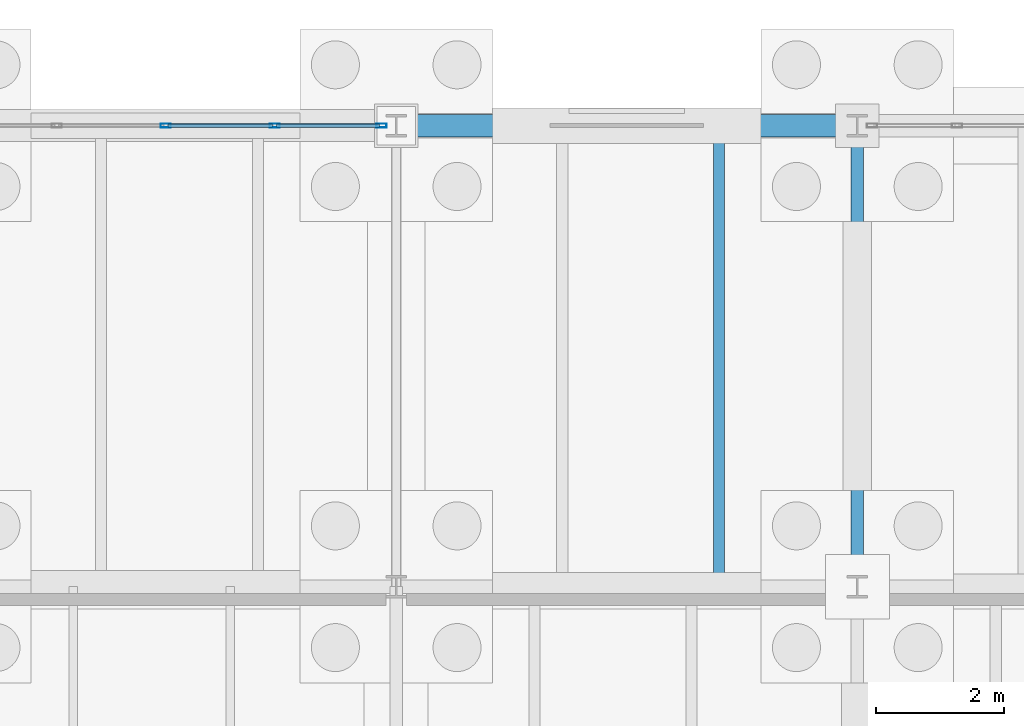
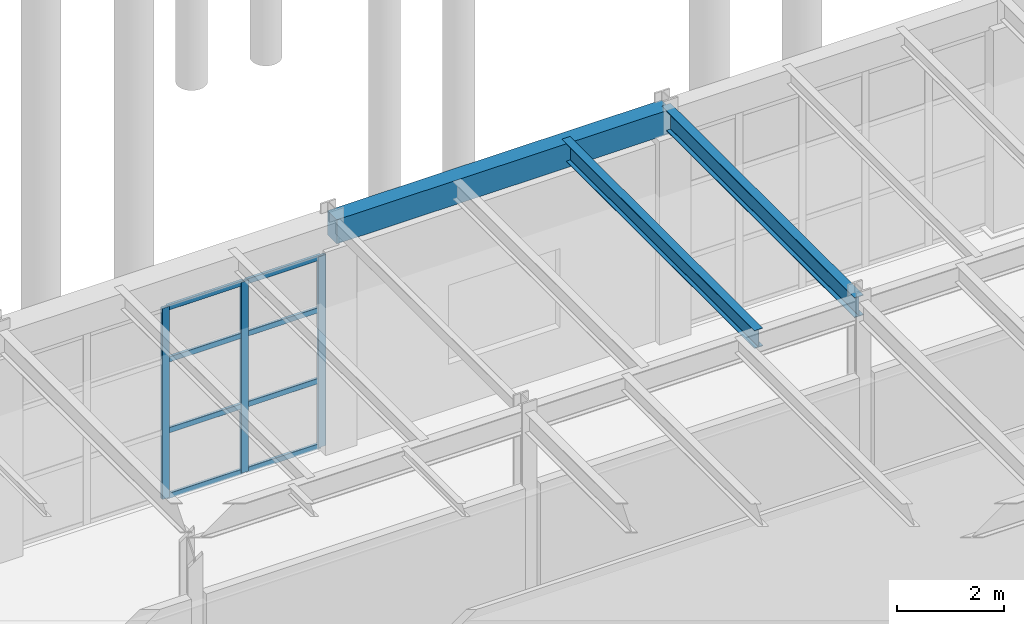
# One storey, part 91 of 293: 11 members, 3 beams, 1 element without a shape of its own.
"""IFC4 building model written with IfcOpenShell, lengths in metres."""

from ifc_helpers import new_model, si_unit, direction, frame, origin, origin_2d, place, context, subcontext, project, spatial, rectangle, hollow_rectangle, i_section, extrude, material, layer, layer_set, material_profile, profile_set, type_object, element, aggregate, save


model = new_model("IFC4")

# Units and contexts
model_context = context("Model", 3, precision=1e-05, world=origin(), true_north=direction((0.0, 1.0)))
body_context = subcontext(model_context, "Body", "Model", "MODEL_VIEW")
ifc_project = project(units=[si_unit("LENGTHUNIT", "METRE"), si_unit("AREAUNIT", "SQUARE_METRE"), si_unit("VOLUMEUNIT", "CUBIC_METRE"), si_unit("PLANEANGLEUNIT", "RADIAN"), si_unit("MASSUNIT", "GRAM", prefix="KILO")], contexts=[model_context])

# Site, building, storey
site_placement = place(None, origin())
site = spatial("IfcSite", under=ifc_project, at=site_placement, CompositionType="ELEMENT")
building_placement = place(site_placement, origin())
building = spatial("IfcBuilding", under=site, at=building_placement, Name="Kemerveld Promenade Tramway Depot", CompositionType="ELEMENT")
storey_placement = place(building_placement, origin())
storey = spatial("IfcBuildingStorey", under=building, at=storey_placement, Name="L00", CompositionType="ELEMENT", Elevation=0.0)

# Beams
ifc_material_1 = material(Name="Steel S355", Category="steel")
ifc_material_profile_1 = material_profile(ifc_material_1, i_section(OverallWidth=0.19140625, OverallDepth=0.4599609375, WebThickness=0.010009765625, FlangeThickness=0.01611328125, FilletRadius=0.01025390625, at=origin_2d()), Name="457x191x82 UB")
ifc_profile_set_1 = profile_set([ifc_material_profile_1], Name="Steel S355")
beam_type_1 = type_object("IfcBeamType", Name="BM-G06", PredefinedType="BEAM", material=ifc_profile_set_1)
beam_1_placement = place(storey_placement, frame((122.39990234375, 21.60009765625, 4.945068359375), z_axis=(0.0, 1.0, 0.0), x_axis=(-1.0, 0.0, 0.0)))
element("IfcBeam", 1, at=beam_1_placement, inside=storey, type_object=beam_type_1, Name="BMY-L00-18-D-E", PredefinedType="BEAM", context=body_context, shape_type="SweptSolid", body=[
    extrude(i_section(OverallWidth=0.19140625, OverallDepth=0.4599609375, WebThickness=0.010009765625, FlangeThickness=0.01611328125, FilletRadius=0.01025390625, at=origin_2d()), origin(), (0.0, 0.0, 1.0), 7.199951171875),
])
ifc_material_profile_2 = material_profile(ifc_material_1, i_section(OverallWidth=0.1787109375, OverallDepth=0.409423828125, WebThickness=0.0087890625, FlangeThickness=0.014404296875, FilletRadius=0.01025390625, at=origin_2d()), Name="406x178x67 UB")
ifc_profile_set_2 = profile_set([ifc_material_profile_2], Name="Steel S355")
beam_type_2 = type_object("IfcBeamType", Name="BM-J05", PredefinedType="JOIST", material=ifc_profile_set_2)
beam_2_placement = place(storey_placement, frame((120.239990234375, 21.60009765625, 4.97021484375), z_axis=(0.0, 1.0, 0.0), x_axis=(-1.0, 0.0, 0.0)))
element("IfcBeam", 2, at=beam_2_placement, inside=storey, type_object=beam_type_2, Name="JST-L00-17-D-2", PredefinedType="JOIST", context=body_context, shape_type="SweptSolid", body=[
    extrude(i_section(OverallWidth=0.1787109375, OverallDepth=0.409423828125, WebThickness=0.0087890625, FlangeThickness=0.014404296875, FilletRadius=0.01025390625, at=origin_2d()), origin(), (0.0, 0.0, 1.0), 7.199951171875),
])
ifc_material_2 = material(Name="Concrete C40/50", Category="concrete")
ifc_material_profile_3 = material_profile(ifc_material_2, rectangle(XDim=0.35009765625, YDim=0.550048828125, at=origin_2d()), Name="RC-BM-350x550")
ifc_profile_set_3 = profile_set([ifc_material_profile_3], Name="Concrete C40/50")
beam_type_3 = type_object("IfcBeamType", Name="BM-RC3", PredefinedType="BEAM", material=ifc_profile_set_3)
beam_3_placement = place(storey_placement, frame((115.199951171875, 28.800048828125, 4.89990234375), z_axis=(1.0, 0.0, 0.0), x_axis=(0.0, 1.0, 0.0)))
element("IfcBeam", 3, at=beam_3_placement, inside=storey, type_object=beam_type_3, Name="BMX-L00-17-18-E", PredefinedType="BEAM", context=body_context, shape_type="SweptSolid", body=[
    extrude(rectangle(XDim=0.35009765625, YDim=0.550048828125, at=origin_2d()), origin(), (0.0, 0.0, 1.0), 7.199951171875),
])

# Curtain wall, members
ifc_material_3 = material(Name="Bronze anodised aluminium and solar glass", Category="aluminium")
ifc_layer = layer(ifc_material_3, 0.159912109375)
ifc_layer_set = layer_set([ifc_layer], Name="CW-SYS-11")
curtain_wall_type = type_object("IfcCurtainWallType", Name="CW-SYS-11", PredefinedType="USERDEFINED", material=ifc_layer_set)
curtain_wall_placement = place(storey_placement, origin())
curtain_wall = element("IfcCurtainWall", 4, at=curtain_wall_placement, inside=storey, type_object=curtain_wall_type, Name="CW-L00-V4N-08", ObjectType="GLAZED_CURTAIN_WALL", PredefinedType="USERDEFINED")
ifc_material_4 = material(Name="Bronze anodised aluminium", Category="aluminium")
ifc_material_profile_4 = material_profile(ifc_material_4, hollow_rectangle(XDim=0.06494140625, YDim=0.159912109375, WallThickness=0.00390625, InnerFilletRadius=0.001953125, OuterFilletRadius=0.00390625, at=origin_2d()), Name="CW-MUL-160x65")
ifc_profile_set_4 = profile_set([ifc_material_profile_4], Name="Bronze anodised aluminium")
member_type_1 = type_object("IfcMemberType", Name="CW-MUL-A", PredefinedType="MULLION", material=ifc_profile_set_4)
member_1_placement = place(storey_placement, frame((111.60009765625, 28.800048828125, 0.0), z_axis=(0.0, 0.0, 1.0), x_axis=(0.0, 1.0, 0.0)))
member_1 = element("IfcMember", 5, at=member_1_placement, type_object=member_type_1, Name="CW11 mullion 3", PredefinedType="MULLION", context=body_context, shape_type="SweptSolid", body=[
    extrude(hollow_rectangle(XDim=0.06494140625, YDim=0.159912109375, WallThickness=0.00390625, InnerFilletRadius=0.001953125, OuterFilletRadius=0.00390625, at=origin_2d()), origin(), (0.0, 0.0, 1.0), 4.35498046875),
])
member_2_placement = place(storey_placement, frame((113.3017578125, 28.800048828125, 0.0), z_axis=(0.0, 0.0, 1.0), x_axis=(0.0, 1.0, 0.0)))
member_2 = element("IfcMember", 6, at=member_2_placement, type_object=member_type_1, Name="CW11 mullion 4", PredefinedType="MULLION", context=body_context, shape_type="SweptSolid", body=[
    extrude(hollow_rectangle(XDim=0.06494140625, YDim=0.159912109375, WallThickness=0.00390625, InnerFilletRadius=0.001953125, OuterFilletRadius=0.00390625, at=origin_2d()), origin(), (0.0, 0.0, 1.0), 4.35498046875),
])
member_3_placement = place(storey_placement, frame((114.97119140625, 28.800048828125, 0.0), z_axis=(0.0, 0.0, 1.0), x_axis=(0.0, 1.0, 0.0)))
member_3 = element("IfcMember", 7, at=member_3_placement, type_object=member_type_1, Name="CW11 mullion 5", PredefinedType="MULLION", context=body_context, shape_type="SweptSolid", body=[
    extrude(hollow_rectangle(XDim=0.06494140625, YDim=0.159912109375, WallThickness=0.00390625, InnerFilletRadius=0.001953125, OuterFilletRadius=0.00390625, at=origin_2d()), origin(), (0.0, 0.0, 1.0), 4.35498046875),
])
ifc_material_profile_5 = material_profile(ifc_material_4, hollow_rectangle(XDim=0.06005859375, YDim=0.1201171875, WallThickness=0.00390625, InnerFilletRadius=0.001953125, OuterFilletRadius=0.00390625, at=origin_2d()), Name="CW-TRN-120x60")
ifc_profile_set_5 = profile_set([ifc_material_profile_5], Name="Bronze anodised aluminium")
member_type_2 = type_object("IfcMemberType", Name="CW-TRN-A", PredefinedType="USERDEFINED", material=ifc_profile_set_5)
member_4_placement = place(storey_placement, frame((111.632568359375, 28.800048828125, 0.030029296875), z_axis=(1.0, 0.0, 0.0), x_axis=(0.0, 1.0, 0.0)))
member_4 = element("IfcMember", 8, at=member_4_placement, type_object=member_type_2, Name="CW11 transom 3.1", ObjectType="TRANSOM", PredefinedType="USERDEFINED", context=body_context, shape_type="SweptSolid", body=[
    extrude(hollow_rectangle(XDim=0.06005859375, YDim=0.1201171875, WallThickness=0.00390625, InnerFilletRadius=0.001953125, OuterFilletRadius=0.00390625, at=origin_2d()), origin(), (0.0, 0.0, 1.0), 1.63671875),
])
member_5_placement = place(storey_placement, frame((111.632568359375, 28.800048828125, 1.52392578125), z_axis=(1.0, 0.0, 0.0), x_axis=(0.0, 1.0, 0.0)))
member_5 = element("IfcMember", 9, at=member_5_placement, type_object=member_type_2, Name="CW11 transom 3.2", ObjectType="TRANSOM", PredefinedType="USERDEFINED", context=body_context, shape_type="SweptSolid", body=[
    extrude(hollow_rectangle(XDim=0.06005859375, YDim=0.1201171875, WallThickness=0.00390625, InnerFilletRadius=0.001953125, OuterFilletRadius=0.00390625, at=origin_2d()), origin(), (0.0, 0.0, 1.0), 1.63671875),
])
member_6_placement = place(storey_placement, frame((111.632568359375, 28.800048828125, 3.135986328125), z_axis=(1.0, 0.0, 0.0), x_axis=(0.0, 1.0, 0.0)))
member_6 = element("IfcMember", 10, at=member_6_placement, type_object=member_type_2, Name="CW11 transom 3.3", ObjectType="TRANSOM", PredefinedType="USERDEFINED", context=body_context, shape_type="SweptSolid", body=[
    extrude(hollow_rectangle(XDim=0.06005859375, YDim=0.1201171875, WallThickness=0.00390625, InnerFilletRadius=0.001953125, OuterFilletRadius=0.00390625, at=origin_2d()), origin(), (0.0, 0.0, 1.0), 1.63671875),
])
member_7_placement = place(storey_placement, frame((111.632568359375, 28.800048828125, 4.324951171875), z_axis=(1.0, 0.0, 0.0), x_axis=(0.0, 1.0, 0.0)))
member_7 = element("IfcMember", 11, at=member_7_placement, type_object=member_type_2, Name="CW11 transom 3.4", ObjectType="TRANSOM", PredefinedType="USERDEFINED", context=body_context, shape_type="SweptSolid", body=[
    extrude(hollow_rectangle(XDim=0.06005859375, YDim=0.1201171875, WallThickness=0.00390625, InnerFilletRadius=0.001953125, OuterFilletRadius=0.00390625, at=origin_2d()), origin(), (0.0, 0.0, 1.0), 1.63671875),
])
member_8_placement = place(storey_placement, frame((113.334228515625, 28.800048828125, 0.030029296875), z_axis=(1.0, 0.0, 0.0), x_axis=(0.0, 1.0, 0.0)))
member_8 = element("IfcMember", 12, at=member_8_placement, type_object=member_type_2, Name="CW11 transom 4.1", ObjectType="TRANSOM", PredefinedType="USERDEFINED", context=body_context, shape_type="SweptSolid", body=[
    extrude(hollow_rectangle(XDim=0.06005859375, YDim=0.1201171875, WallThickness=0.00390625, InnerFilletRadius=0.001953125, OuterFilletRadius=0.00390625, at=origin_2d()), origin(), (0.0, 0.0, 1.0), 1.6044921875),
])
member_9_placement = place(storey_placement, frame((113.334228515625, 28.800048828125, 1.52392578125), z_axis=(1.0, 0.0, 0.0), x_axis=(0.0, 1.0, 0.0)))
member_9 = element("IfcMember", 13, at=member_9_placement, type_object=member_type_2, Name="CW11 transom 4.2", ObjectType="TRANSOM", PredefinedType="USERDEFINED", context=body_context, shape_type="SweptSolid", body=[
    extrude(hollow_rectangle(XDim=0.06005859375, YDim=0.1201171875, WallThickness=0.00390625, InnerFilletRadius=0.001953125, OuterFilletRadius=0.00390625, at=origin_2d()), origin(), (0.0, 0.0, 1.0), 1.6044921875),
])
member_10_placement = place(storey_placement, frame((113.334228515625, 28.800048828125, 3.135986328125), z_axis=(1.0, 0.0, 0.0), x_axis=(0.0, 1.0, 0.0)))
member_10 = element("IfcMember", 14, at=member_10_placement, type_object=member_type_2, Name="CW11 transom 4.3", ObjectType="TRANSOM", PredefinedType="USERDEFINED", context=body_context, shape_type="SweptSolid", body=[
    extrude(hollow_rectangle(XDim=0.06005859375, YDim=0.1201171875, WallThickness=0.00390625, InnerFilletRadius=0.001953125, OuterFilletRadius=0.00390625, at=origin_2d()), origin(), (0.0, 0.0, 1.0), 1.6044921875),
])
member_11_placement = place(storey_placement, frame((113.334228515625, 28.800048828125, 4.324951171875), z_axis=(1.0, 0.0, 0.0), x_axis=(0.0, 1.0, 0.0)))
member_11 = element("IfcMember", 15, at=member_11_placement, type_object=member_type_2, Name="CW11 transom 4.4", ObjectType="TRANSOM", PredefinedType="USERDEFINED", context=body_context, shape_type="SweptSolid", body=[
    extrude(hollow_rectangle(XDim=0.06005859375, YDim=0.1201171875, WallThickness=0.00390625, InnerFilletRadius=0.001953125, OuterFilletRadius=0.00390625, at=origin_2d()), origin(), (0.0, 0.0, 1.0), 1.6044921875),
])
aggregate(curtain_wall, [member_1, member_2, member_3, member_4, member_5, member_6, member_7, member_8, member_9, member_10, member_11])

save(model, "model.ifc")
